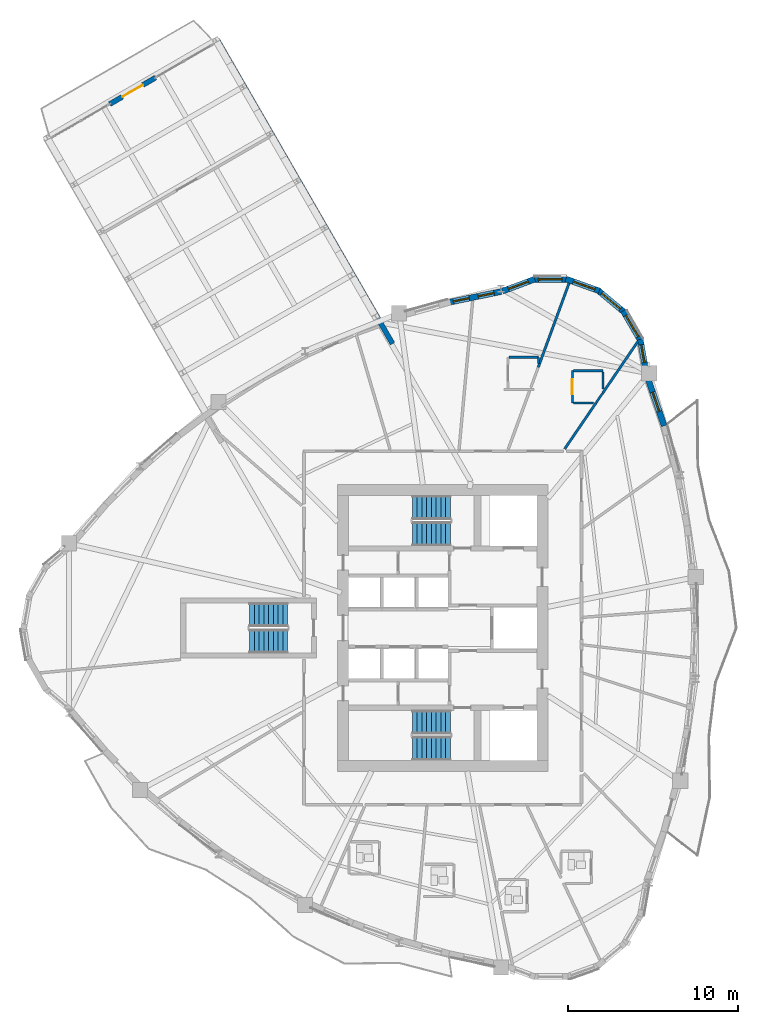
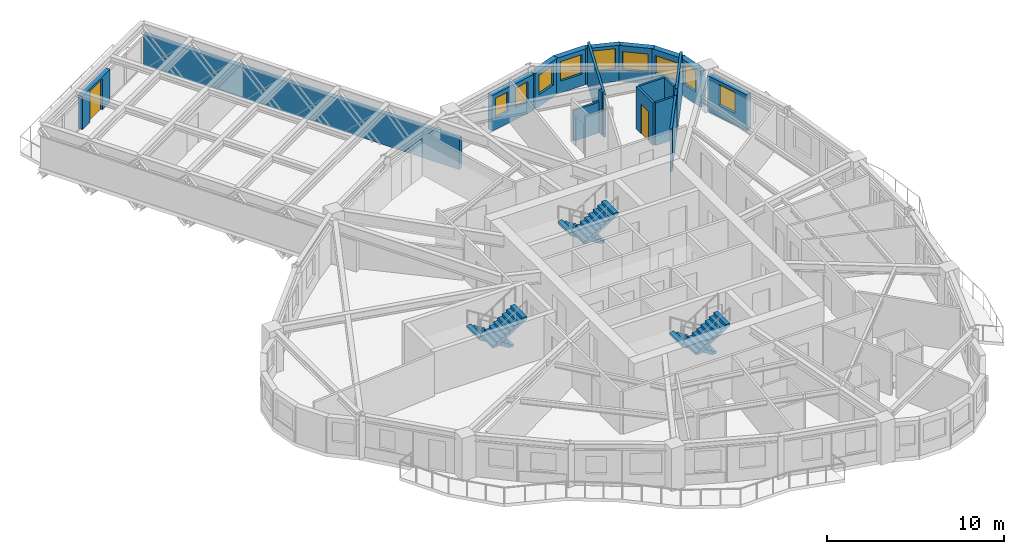
# One storey, part 10 of 14: 20 walls, 9 windows, 6 stair flights, 2 doors, 11 openings, 3 elements without a shape of their own.
"""IFC4 building model written with IfcOpenShell, lengths in metres."""

from ifc_helpers import new_model, si_unit, direction, frame, frame_2d, origin, place, context, subcontext, project, spatial, polyline, rectangle, outline, extrude, source, transform, mapped, material, layer, layer_set, type_object, element, fill, aggregate, save


model = new_model("IFC4")

# Units and contexts
model_context = context("Model", 3, precision=1e-05, world=origin(), true_north=direction((0.0, 1.0)))
body_context = subcontext(model_context, "Body", "Model", "MODEL_VIEW")
ifc_project = project(units=[si_unit("LENGTHUNIT", "METRE"), si_unit("AREAUNIT", "SQUARE_METRE"), si_unit("VOLUMEUNIT", "CUBIC_METRE"), si_unit("PLANEANGLEUNIT", "RADIAN"), si_unit("MASSUNIT", "GRAM", prefix="KILO")], contexts=[model_context])

# Site, building, storey
site_placement = place(None, origin())
site = spatial("IfcSite", under=ifc_project, at=site_placement, CompositionType="ELEMENT")
building_placement = place(site_placement, origin())
building = spatial("IfcBuilding", under=site, at=building_placement, Name="Qafzar Sky-Pleat Residences", CompositionType="ELEMENT")
storey_placement = place(building_placement, frame((0.0, 0.0, 86.39990234375)))
storey = spatial("IfcBuildingStorey", under=building, at=storey_placement, Name="L25", CompositionType="ELEMENT", Elevation=86.39990234375)

# Walls
ifc_material_1 = material(Name="Acoustic gypsum plasterboard partition", Category="gypsum")
ifc_layer_1 = layer(ifc_material_1, 0.14501953125)
ifc_layer_set_1 = layer_set([ifc_layer_1], Name="Acoustic gypsum plasterboard partition")
wall_type_1 = type_object("IfcWallType", Name="PART-UNIT-145", PredefinedType="PARTITIONING", material=ifc_layer_set_1)
wall_1_placement = place(storey_placement, frame((35.98291015625, 41.373046875, 0.0), z_axis=(0.0, 0.0, 1.0), x_axis=(0.343972978133, 0.938979547335, 0.0)))
element("IfcWall", 1, at=wall_1_placement, inside=storey, type_object=wall_type_1, Name="L25 Partition Wall PART-L25-PW-037", PredefinedType="PARTITIONING", context=body_context, shape_type="SweptSolid", body=[
    extrude(rectangle(XDim=5.272216796875, YDim=0.14501953125, at=frame_2d((2.63623046875, 0.0))), origin(), (0.0, 0.0, 1.0), 2.9501953125),
])
wall_2_placement = place(storey_placement, frame((39.781982421875, 39.846923828125, 0.0), z_axis=(0.0, 0.0, 1.0), x_axis=(0.562744405359, 0.826630954077, 0.0)))
element("IfcWall", 2, at=wall_2_placement, inside=storey, type_object=wall_type_1, Name="L25 Partition Wall PART-L25-PW-042", PredefinedType="PARTITIONING", context=body_context, shape_type="SweptSolid", body=[
    extrude(rectangle(XDim=3.658203125, YDim=0.14501953125, at=frame_2d((1.8291015625, 0.0))), origin(), (0.0, 0.0, 1.0), 2.9501953125),
])
wall_3_placement = place(storey_placement, frame((37.540771484375, 36.557373046875, 0.0), z_axis=(0.0, 0.0, 1.0), x_axis=(0.563020017907, 0.826443258449, 0.0)))
element("IfcWall", 3, at=wall_3_placement, inside=storey, type_object=wall_type_1, Name="L25 Partition Wall PART-L25-PW-044", PredefinedType="PARTITIONING", context=body_context, shape_type="SweptSolid", body=[
    extrude(rectangle(XDim=3.30029296875, YDim=0.14501953125, at=frame_2d((1.650146484375, 0.0))), origin(), (0.0, 0.0, 1.0), 2.9501953125),
])

# Wall, opening, door
ifc_material_2 = material(Name="Moisture-resistant gypsum partition", Category="gypsum")
ifc_layer_2 = layer(ifc_material_2, 0.1298828125)
ifc_layer_set_2 = layer_set([ifc_layer_2], Name="Moisture-resistant gypsum partition")
wall_type_2 = type_object("IfcWallType", Name="PART-WET-130", PredefinedType="PARTITIONING", material=ifc_layer_set_2)
wall_4_placement = place(storey_placement, frame((37.9970703125, 41.169921875, 0.0), z_axis=(0.0, 0.0, 1.0), x_axis=(0.0, -1.0, 0.0)))
wall_4 = element("IfcWall", 4, at=wall_4_placement, inside=storey, type_object=wall_type_2, Name="L25 Partition Wall PART-L25-PW-022", PredefinedType="PARTITIONING", context=body_context, shape_type="SweptSolid", body=[
    extrude(rectangle(XDim=1.89990234375, YDim=0.1298828125, at=frame_2d((0.949951171875, 0.0))), origin(), (0.0, 0.0, 1.0), 2.9501953125),
])
opening_1_placement = place(wall_4_placement, frame((0.510009765625, 0.0, 0.0)))
opening_1 = element("IfcOpeningElement", 5, at=opening_1_placement, cuts=wall_4, Name="Opening ID-07", PredefinedType="OPENING", context=body_context, shape_type="SweptSolid", body=[
    extrude(rectangle(XDim=0.8798828125, YDim=2.050048828125, at=frame_2d((0.43994140625, 1.02490234375))), frame((0.0, 0.074951171875, 0.0), z_axis=(0.0, -1.0, 0.0), x_axis=(1.0, 0.0, 0.0)), (0.0, 0.0, 1.0), 0.14990234375),
])
ifc_material_3 = material(Name="Timber-faced fire door", Category="wood")
door_type_1 = type_object("IfcDoorType", Name="DR-WET-880", OperationType="NOTDEFINED", PredefinedType="DOOR", material=ifc_material_3)
shared_shape_1 = source(origin(), body_context, "Body", "SweptSolid", [
    extrude(rectangle(XDim=0.8798828125, YDim=2.050048828125, at=frame_2d((0.43994140625, 1.02490234375))), frame((0.0, 0.02490234375, 0.0), z_axis=(0.0, -1.0, 0.0), x_axis=(1.0, 0.0, 0.0)), (0.0, 0.0, 1.0), 0.050048828125),
])
door_1_placement = place(opening_1_placement, origin())
door_1 = element("IfcDoor", 6, at=door_1_placement, inside=storey, type_object=door_type_1, Name="L25 En-suite Bathroom 5 Door", OperationType="SINGLE_SWING_RIGHT", OverallHeight=2.050048828125, OverallWidth=0.8798828125, PredefinedType="DOOR", context=body_context, shape_type="MappedRepresentation", body=[
    mapped(shared_shape_1, transform((0.0, 0.0, 0.0), x_axis=(1.0, 0.0, 0.0), y_axis=(0.0, 1.0, 0.0), z_axis=(0.0, 0.0, 1.0), scale=1.0)),
])
fill(opening_1, door_1)

# Walls
wall_5_placement = place(storey_placement, frame((38.070068359375, 41.169921875, 0.0), z_axis=(0.0, 0.0, 1.0), x_axis=(1.0, 0.0, 0.0)))
element("IfcWall", 7, at=wall_5_placement, inside=storey, type_object=wall_type_2, Name="L25 Partition Wall PART-L25-PW-056", PredefinedType="PARTITIONING", context=body_context, shape_type="SweptSolid", body=[
    extrude(rectangle(XDim=1.72705078125, YDim=0.1298828125, at=frame_2d((0.863525390625, 0.0))), origin(), (0.0, 0.0, 1.0), 2.9501953125),
])
wall_6_placement = place(storey_placement, frame((34.27099609375, 41.965087890625, 0.0), z_axis=(0.0, 0.0, 1.0), x_axis=(1.0, 0.0, 0.0)))
element("IfcWall", 8, at=wall_6_placement, inside=storey, type_object=wall_type_2, Name="L25 Partition Wall PART-L25-PW-057", PredefinedType="PARTITIONING", context=body_context, shape_type="SweptSolid", body=[
    extrude(rectangle(XDim=1.72705078125, YDim=0.1298828125, at=frame_2d((0.863525390625, 0.0))), origin(), (0.0, 0.0, 1.0), 2.1181640625),
])
wall_7_placement = place(storey_placement, frame((38.070068359375, 39.27001953125, 0.0), z_axis=(0.0, 0.0, 1.0), x_axis=(1.0, 0.0, 0.0)))
element("IfcWall", 9, at=wall_7_placement, inside=storey, type_object=wall_type_2, Name="L25 Partition Wall PART-L25-PW-062", PredefinedType="PARTITIONING", context=body_context, shape_type="SweptSolid", body=[
    extrude(rectangle(XDim=1.178955078125, YDim=0.1298828125, at=frame_2d((0.58935546875, 0.0))), origin(), (0.0, 0.0, 1.0), 2.9501953125),
])
wall_8_placement = place(storey_placement, frame((39.797119140625, 40.101318359375, 0.0), z_axis=(0.0, 0.0, 1.0), x_axis=(0.0, 1.0, 0.0)))
element("IfcWall", 10, at=wall_8_placement, inside=storey, type_object=wall_type_2, Name="L25 Partition Wall PART-L25-PW-066", PredefinedType="PARTITIONING", context=body_context, shape_type="SweptSolid", body=[
    extrude(rectangle(XDim=0.99560546875, YDim=0.1298828125, at=frame_2d((0.497802734375, 0.0))), origin(), (0.0, 0.0, 1.0), 2.9501953125),
])
wall_9_placement = place(storey_placement, frame((39.40771484375, 39.297119140625, 0.0), z_axis=(0.0, 0.0, 1.0), x_axis=(0.562042989861, 0.827108020483, 0.0)))
element("IfcWall", 11, at=wall_9_placement, inside=storey, type_object=wall_type_2, Name="L25 Partition Wall PART-L25-PW-069", PredefinedType="PARTITIONING", context=body_context, shape_type="SweptSolid", body=[
    extrude(rectangle(XDim=0.650146484375, YDim=0.1298828125, at=frame_2d((0.3251953125, 0.0))), origin(), (0.0, 0.0, 1.0), 2.9501953125),
])
wall_10_placement = place(storey_placement, frame((35.998046875, 41.593994140625, 0.0), z_axis=(0.0, 0.0, 1.0), x_axis=(0.0, 1.0, 0.0)))
element("IfcWall", 12, at=wall_10_placement, inside=storey, type_object=wall_type_2, Name="L25 Partition Wall PART-L25-PW-070", PredefinedType="PARTITIONING", context=body_context, shape_type="SweptSolid", body=[
    extrude(rectangle(XDim=0.37109375, YDim=0.1298828125, at=frame_2d((0.185546875, 0.0))), origin(), (0.0, 0.0, 1.0), 2.9501953125),
])
ifc_material_4 = material(Name="Precast concrete C40/50 with honed Riyadh limestone", Category="concrete")
ifc_layer_3 = layer(ifc_material_4, 0.300048828125)
ifc_layer_set_3 = layer_set([ifc_layer_3], Name="Precast concrete C40/50 with honed Riyadh limestone")
wall_type_3 = type_object("IfcWallType", Name="WALL-EXT-300", PredefinedType="SOLIDWALL", material=ifc_layer_set_3)
wall_11_placement = place(storey_placement, frame((27.390380859375, 42.766357421875, 0.0), z_axis=(0.0, 0.0, 1.0), x_axis=(-0.499999403898, 0.866025747944, 0.0)))
element("IfcWall", 13, at=wall_11_placement, inside=storey, type_object=wall_type_3, Name="L25 SB-2 Side Spandrel Wall R", PredefinedType="SOLIDWALL", context=body_context, shape_type="SweptSolid", body=[
    extrude(rectangle(XDim=20.60302734375, YDim=0.300048828125, at=frame_2d((10.301513671875, 0.0))), origin(), (0.0, 0.0, 1.0), 2.130126953125),
])

# Wall, opening, door
wall_12_placement = place(storey_placement, frame((10.71240234375, 56.89306640625, 0.0), z_axis=(0.0, 0.0, 1.0), x_axis=(0.866029224906, 0.499993381564, 0.0)))
wall_12 = element("IfcWall", 14, at=wall_12_placement, inside=storey, type_object=wall_type_3, Name="L25 SB-2 Prow Portal Wall", PredefinedType="SOLIDWALL", context=body_context, shape_type="SweptSolid", body=[
    extrude(rectangle(XDim=3.1201171875, YDim=0.300048828125, at=frame_2d((1.56005859375, 0.0))), origin(), (0.0, 0.0, 1.0), 2.300048828125),
])
opening_2_placement = place(wall_12_placement, frame((0.860107421875, 0.0, 0.0)))
opening_2 = element("IfcOpeningElement", 15, at=opening_2_placement, cuts=wall_12, Name="Opening ED-07", PredefinedType="OPENING", context=body_context, shape_type="SweptSolid", body=[
    extrude(rectangle(XDim=1.39990234375, YDim=2.14990234375, at=frame_2d((0.699951171875, 1.074951171875))), frame((0.0, 0.16015625, 0.0), z_axis=(0.0, -1.0, 0.0), x_axis=(1.0, 0.0, 0.0)), (0.0, 0.0, 1.0), 0.320068359375),
])
ifc_material_5 = material(Name="Glazed bronze aluminium door", Category="aluminium")
door_type_2 = type_object("IfcDoorType", Name="DR-SB-1400", OperationType="DOUBLE_DOOR_SINGLE_SWING", PredefinedType="DOOR", material=ifc_material_5)
shared_shape_2 = source(origin(), body_context, "Body", "SweptSolid", [
    extrude(rectangle(XDim=1.39990234375, YDim=2.14990234375, at=frame_2d((0.699951171875, 1.074951171875))), frame((0.0, 0.02490234375, 0.0), z_axis=(0.0, -1.0, 0.0), x_axis=(1.0, 0.0, 0.0)), (0.0, 0.0, 1.0), 0.050048828125),
])
door_2_placement = place(opening_2_placement, origin())
door_2 = element("IfcDoor", 16, at=door_2_placement, inside=storey, type_object=door_type_2, Name="L25 SB-2 Tip Balcony Glazed Door", OperationType="DOUBLE_DOOR_SINGLE_SWING", OverallHeight=2.14990234375, OverallWidth=1.39990234375, PredefinedType="DOOR", context=body_context, shape_type="MappedRepresentation", body=[
    mapped(shared_shape_2, transform((0.0, 0.0, 0.0), x_axis=(1.0, 0.0, 0.0), y_axis=(0.0, 1.0, 0.0), z_axis=(0.0, 0.0, 1.0), scale=1.0)),
])
fill(opening_2, door_2)

# Wall, opening, window
ifc_layer_4 = layer(ifc_material_4, 0.35009765625)
ifc_layer_set_4 = layer_set([ifc_layer_4], Name="Precast concrete C40/50 with honed Riyadh limestone")
wall_type_4 = type_object("IfcWallType", Name="WALL-EXT-350", PredefinedType="SOLIDWALL", material=ifc_layer_set_4)
wall_13_placement = place(storey_placement, frame((43.406494140625, 37.922607421875, 0.0), z_axis=(0.0, 0.0, 1.0), x_axis=(-0.323597196737, 0.946194934601, 0.0)))
wall_13 = element("IfcWall", 17, at=wall_13_placement, inside=storey, type_object=wall_type_4, Name="L25 Limestone Facade Wall 32", PredefinedType="SOLIDWALL", context=body_context, shape_type="SweptSolid", body=[
    extrude(rectangle(XDim=2.987548828125, YDim=0.35009765625, at=frame_2d((1.49365234375, 0.0))), origin(), (0.0, 0.0, 1.0), 2.47998046875),
])
opening_3_placement = place(wall_13_placement, frame((0.898681640625, 0.0, 0.820068359375)))
opening_3 = element("IfcOpeningElement", 18, at=opening_3_placement, cuts=wall_13, Name="Opening WN-05", PredefinedType="OPENING", context=body_context, shape_type="SweptSolid", body=[
    extrude(rectangle(XDim=1.199951171875, YDim=1.449951171875, at=frame_2d((0.60009765625, 0.72509765625))), frame((0.0, 0.18505859375, 0.0), z_axis=(0.0, -1.0, 0.0), x_axis=(1.0, 0.0, 0.0)), (0.0, 0.0, 1.0), 0.3701171875),
])
ifc_material_6 = material(Name="Solar-control low-E glass in bronze aluminium frame", Category="glass")
window_type_1 = type_object("IfcWindowType", Name="WIN-05", PartitioningType="SINGLE_PANEL", PredefinedType="WINDOW", material=ifc_material_6)
shared_shape_3 = source(origin(), body_context, "Body", "SweptSolid", [
    extrude(rectangle(XDim=1.199951171875, YDim=1.449951171875, at=frame_2d((0.60009765625, 0.72509765625))), frame((0.0, 0.030029296875, 0.0), z_axis=(0.0, -1.0, 0.0), x_axis=(1.0, 0.0, 0.0)), (0.0, 0.0, 1.0), 0.06005859375),
])
window_1_placement = place(opening_3_placement, origin())
window_1 = element("IfcWindow", 19, at=window_1_placement, inside=storey, type_object=window_type_1, Name="L25 Punched Facade Window 32", OverallHeight=1.449951171875, OverallWidth=1.199951171875, PartitioningType="SINGLE_PANEL", PredefinedType="WINDOW", context=body_context, shape_type="MappedRepresentation", body=[
    mapped(shared_shape_3, transform((0.0, 0.0, 0.0), x_axis=(1.0, 0.0, 0.0), y_axis=(0.0, 1.0, 0.0), z_axis=(0.0, 0.0, 1.0), scale=1.0)),
])
fill(opening_3, window_1)

wall_14_placement = place(storey_placement, frame((42.32080078125, 41.2099609375, 0.0), z_axis=(0.0, 0.0, 1.0), x_axis=(-0.174331490339, 0.984687022092, 0.0)))
wall_14 = element("IfcWall", 20, at=wall_14_placement, inside=storey, type_object=wall_type_4, Name="L25 Limestone Facade Wall 33", PredefinedType="SOLIDWALL", context=body_context, shape_type="SweptSolid", body=[
    extrude(rectangle(XDim=1.8359375, YDim=0.35009765625, at=frame_2d((0.91796875, 0.0))), origin(), (0.0, 0.0, 1.0), 2.47998046875),
])
opening_4_placement = place(wall_14_placement, frame((0.45849609375, 0.0, 0.820068359375)))
opening_4 = element("IfcOpeningElement", 21, at=opening_4_placement, cuts=wall_14, Name="Opening WN-06", PredefinedType="OPENING", context=body_context, shape_type="SweptSolid", body=[
    extrude(rectangle(XDim=1.050048828125, YDim=1.449951171875, at=frame_2d((0.52490234375, 0.72509765625))), frame((0.0, 0.18505859375, 0.0), z_axis=(0.0, -1.0, 0.0), x_axis=(1.0, 0.0, 0.0)), (0.0, 0.0, 1.0), 0.3701171875),
])
window_type_2 = type_object("IfcWindowType", Name="WIN-06", PartitioningType="SINGLE_PANEL", PredefinedType="WINDOW", material=ifc_material_6)
shared_shape_4 = source(origin(), body_context, "Body", "SweptSolid", [
    extrude(rectangle(XDim=1.050048828125, YDim=1.449951171875, at=frame_2d((0.52490234375, 0.72509765625))), frame((0.0, 0.030029296875, 0.0), z_axis=(0.0, -1.0, 0.0), x_axis=(1.0, 0.0, 0.0)), (0.0, 0.0, 1.0), 0.06005859375),
])
window_2_placement = place(opening_4_placement, origin())
window_2 = element("IfcWindow", 22, at=window_2_placement, inside=storey, type_object=window_type_2, Name="L25 Punched Facade Window 33", OverallHeight=1.449951171875, OverallWidth=1.050048828125, PartitioningType="SINGLE_PANEL", PredefinedType="WINDOW", context=body_context, shape_type="MappedRepresentation", body=[
    mapped(shared_shape_4, transform((0.0, 0.0, 0.0), x_axis=(1.0, 0.0, 0.0), y_axis=(0.0, 1.0, 0.0), z_axis=(0.0, 0.0, 1.0), scale=1.0)),
])
fill(opening_4, window_2)

wall_15_placement = place(storey_placement, frame((42.04736328125, 42.89013671875, 0.0), z_axis=(0.0, 0.0, 1.0), x_axis=(-0.501902596059, 0.864924149315, 0.0)))
wall_15 = element("IfcWall", 23, at=wall_15_placement, inside=storey, type_object=wall_type_4, Name="L25 Limestone Facade Wall 34", PredefinedType="SOLIDWALL", context=body_context, shape_type="SweptSolid", body=[
    extrude(rectangle(XDim=2.098876953125, YDim=0.35009765625, at=frame_2d((1.04931640625, 0.0))), origin(), (0.0, 0.0, 1.0), 2.47998046875),
])
opening_5_placement = place(wall_15_placement, frame((0.33349609375, 0.0, 0.820068359375)))
opening_5 = element("IfcOpeningElement", 24, at=opening_5_placement, cuts=wall_15, Name="Opening WN-15", PredefinedType="OPENING", context=body_context, shape_type="SweptSolid", body=[
    extrude(rectangle(XDim=1.449951171875, YDim=1.25, at=frame_2d((0.72509765625, 0.625))), frame((0.0, 0.18505859375, 0.0), z_axis=(0.0, -1.0, 0.0), x_axis=(1.0, 0.0, 0.0)), (0.0, 0.0, 1.0), 0.3701171875),
])
window_type_3 = type_object("IfcWindowType", Name="WIN-15", PartitioningType="SINGLE_PANEL", PredefinedType="WINDOW", material=ifc_material_6)
shared_shape_5 = source(origin(), body_context, "Body", "SweptSolid", [
    extrude(rectangle(XDim=1.449951171875, YDim=1.25, at=frame_2d((0.72509765625, 0.625))), frame((0.0, 0.030029296875, 0.0), z_axis=(0.0, -1.0, 0.0), x_axis=(1.0, 0.0, 0.0)), (0.0, 0.0, 1.0), 0.06005859375),
])
window_3_placement = place(opening_5_placement, origin())
window_3 = element("IfcWindow", 25, at=window_3_placement, inside=storey, type_object=window_type_3, Name="L25 Punched Facade Window 34", OverallHeight=1.25, OverallWidth=1.449951171875, PartitioningType="SINGLE_PANEL", PredefinedType="WINDOW", context=body_context, shape_type="MappedRepresentation", body=[
    mapped(shared_shape_5, transform((0.0, 0.0, 0.0), x_axis=(1.0, 0.0, 0.0), y_axis=(0.0, 1.0, 0.0), z_axis=(0.0, 0.0, 1.0), scale=1.0)),
])
fill(opening_5, window_3)

wall_16_placement = place(storey_placement, frame((41.08154296875, 44.601806640625, 0.0), z_axis=(0.0, 0.0, 1.0), x_axis=(-0.768497696041, 0.639852554249, 0.0)))
wall_16 = element("IfcWall", 26, at=wall_16_placement, inside=storey, type_object=wall_type_4, Name="L25 Limestone Facade Wall 35", PredefinedType="SOLIDWALL", context=body_context, shape_type="SweptSolid", body=[
    extrude(rectangle(XDim=2.098876953125, YDim=0.35009765625, at=frame_2d((1.04931640625, 0.0))), origin(), (0.0, 0.0, 1.0), 2.47998046875),
])
opening_6_placement = place(wall_16_placement, frame((0.324462890625, 0.0, 0.820068359375)))
opening_6 = element("IfcOpeningElement", 27, at=opening_6_placement, cuts=wall_16, Name="Opening WN-15", PredefinedType="OPENING", context=body_context, shape_type="SweptSolid", body=[
    extrude(rectangle(XDim=1.449951171875, YDim=1.25, at=frame_2d((0.72509765625, 0.625))), frame((0.0, 0.18505859375, 0.0), z_axis=(0.0, -1.0, 0.0), x_axis=(1.0, 0.0, 0.0)), (0.0, 0.0, 1.0), 0.3701171875),
])
window_4_placement = place(opening_6_placement, origin())
window_4 = element("IfcWindow", 28, at=window_4_placement, inside=storey, type_object=window_type_3, Name="L25 Punched Facade Window 35", OverallHeight=1.25, OverallWidth=1.449951171875, PartitioningType="SINGLE_PANEL", PredefinedType="WINDOW", context=body_context, shape_type="MappedRepresentation", body=[
    mapped(shared_shape_5, transform((0.0, 0.0, 0.0), x_axis=(1.0, 0.0, 0.0), y_axis=(0.0, 1.0, 0.0), z_axis=(0.0, 0.0, 1.0), scale=1.0)),
])
fill(opening_6, window_4)

wall_17_placement = place(storey_placement, frame((39.58642578125, 45.87744140625, 0.0), z_axis=(0.0, 0.0, 1.0), x_axis=(-0.941473186867, 0.33708787936, 0.0)))
wall_17 = element("IfcWall", 29, at=wall_17_placement, inside=storey, type_object=wall_type_4, Name="L25 Limestone Facade Wall 36", PredefinedType="SOLIDWALL", context=body_context, shape_type="SweptSolid", body=[
    extrude(rectangle(XDim=2.098876953125, YDim=0.35009765625, at=frame_2d((1.04931640625, 0.0))), origin(), (0.0, 0.0, 1.0), 2.47998046875),
])
opening_7_placement = place(wall_17_placement, frame((0.28271484375, 0.0, 0.820068359375)))
opening_7 = element("IfcOpeningElement", 30, at=opening_7_placement, cuts=wall_17, Name="Opening WN-04", PredefinedType="OPENING", context=body_context, shape_type="SweptSolid", body=[
    extrude(rectangle(XDim=1.35009765625, YDim=1.449951171875, at=frame_2d((0.675048828125, 0.72509765625))), frame((0.0, 0.18505859375, 0.0), z_axis=(0.0, -1.0, 0.0), x_axis=(1.0, 0.0, 0.0)), (0.0, 0.0, 1.0), 0.3701171875),
])
window_type_4 = type_object("IfcWindowType", Name="WIN-04", PartitioningType="SINGLE_PANEL", PredefinedType="WINDOW", material=ifc_material_6)
shared_shape_6 = source(origin(), body_context, "Body", "SweptSolid", [
    extrude(rectangle(XDim=1.35009765625, YDim=1.449951171875, at=frame_2d((0.675048828125, 0.72509765625))), frame((0.0, 0.030029296875, 0.0), z_axis=(0.0, -1.0, 0.0), x_axis=(1.0, 0.0, 0.0)), (0.0, 0.0, 1.0), 0.06005859375),
])
window_5_placement = place(opening_7_placement, origin())
window_5 = element("IfcWindow", 31, at=window_5_placement, inside=storey, type_object=window_type_4, Name="L25 Punched Facade Window 36", OverallHeight=1.449951171875, OverallWidth=1.35009765625, PartitioningType="SINGLE_PANEL", PredefinedType="WINDOW", context=body_context, shape_type="MappedRepresentation", body=[
    mapped(shared_shape_6, transform((0.0, 0.0, 0.0), x_axis=(1.0, 0.0, 0.0), y_axis=(0.0, 1.0, 0.0), z_axis=(0.0, 0.0, 1.0), scale=1.0)),
])
fill(opening_7, window_5)

wall_18_placement = place(storey_placement, frame((37.744384765625, 46.562255859375, 0.0), z_axis=(0.0, 0.0, 1.0), x_axis=(-0.999976451414, -0.006862697526, 0.0)))
wall_18 = element("IfcWall", 32, at=wall_18_placement, inside=storey, type_object=wall_type_4, Name="L25 Limestone Facade Wall 37", PredefinedType="SOLIDWALL", context=body_context, shape_type="SweptSolid", body=[
    extrude(rectangle(XDim=2.098876953125, YDim=0.35009765625, at=frame_2d((1.04931640625, 0.0))), origin(), (0.0, 0.0, 1.0), 2.47998046875),
])
opening_8_placement = place(wall_18_placement, frame((0.349609375, 0.0, 0.820068359375)))
opening_8 = element("IfcOpeningElement", 33, at=opening_8_placement, cuts=wall_18, Name="Opening WN-10", PredefinedType="OPENING", context=body_context, shape_type="SweptSolid", body=[
    extrude(rectangle(XDim=1.39990234375, YDim=1.35009765625, at=frame_2d((0.699951171875, 0.675048828125))), frame((0.0, 0.18505859375, 0.0), z_axis=(0.0, -1.0, 0.0), x_axis=(1.0, 0.0, 0.0)), (0.0, 0.0, 1.0), 0.3701171875),
])
window_type_5 = type_object("IfcWindowType", Name="WIN-10", PartitioningType="SINGLE_PANEL", PredefinedType="WINDOW", material=ifc_material_6)
shared_shape_7 = source(origin(), body_context, "Body", "SweptSolid", [
    extrude(rectangle(XDim=1.39990234375, YDim=1.35009765625, at=frame_2d((0.699951171875, 0.675048828125))), frame((0.0, 0.030029296875, 0.0), z_axis=(0.0, -1.0, 0.0), x_axis=(1.0, 0.0, 0.0)), (0.0, 0.0, 1.0), 0.06005859375),
])
window_6_placement = place(opening_8_placement, origin())
window_6 = element("IfcWindow", 34, at=window_6_placement, inside=storey, type_object=window_type_5, Name="L25 Punched Facade Window 37", OverallHeight=1.35009765625, OverallWidth=1.39990234375, PartitioningType="SINGLE_PANEL", PredefinedType="WINDOW", context=body_context, shape_type="MappedRepresentation", body=[
    mapped(shared_shape_7, transform((0.0, 0.0, 0.0), x_axis=(1.0, 0.0, 0.0), y_axis=(0.0, 1.0, 0.0), z_axis=(0.0, 0.0, 1.0), scale=1.0)),
])
fill(opening_8, window_6)

wall_19_placement = place(storey_placement, frame((35.779052734375, 46.572509765625, 0.0), z_axis=(0.0, 0.0, 1.0), x_axis=(-0.9368002254, -0.349864741994, 0.0)))
wall_19 = element("IfcWall", 35, at=wall_19_placement, inside=storey, type_object=wall_type_4, Name="L25 Limestone Facade Wall 38", PredefinedType="SOLIDWALL", context=body_context, shape_type="SweptSolid", body=[
    extrude(rectangle(XDim=2.041015625, YDim=0.35009765625, at=frame_2d((1.0205078125, 0.0))), origin(), (0.0, 0.0, 1.0), 2.47998046875),
])
opening_9_placement = place(wall_19_placement, frame((0.405517578125, 0.0, 0.820068359375)))
opening_9 = element("IfcOpeningElement", 36, at=opening_9_placement, cuts=wall_19, Name="Opening WN-11", PredefinedType="OPENING", context=body_context, shape_type="SweptSolid", body=[
    extrude(rectangle(XDim=1.25, YDim=1.35009765625, at=frame_2d((0.625, 0.675048828125))), frame((0.0, 0.18505859375, 0.0), z_axis=(0.0, -1.0, 0.0), x_axis=(1.0, 0.0, 0.0)), (0.0, 0.0, 1.0), 0.3701171875),
])
window_type_6 = type_object("IfcWindowType", Name="WIN-11", PartitioningType="SINGLE_PANEL", PredefinedType="WINDOW", material=ifc_material_6)
shared_shape_8 = source(origin(), body_context, "Body", "SweptSolid", [
    extrude(rectangle(XDim=1.25, YDim=1.35009765625, at=frame_2d((0.625, 0.675048828125))), frame((0.0, 0.030029296875, 0.0), z_axis=(0.0, -1.0, 0.0), x_axis=(1.0, 0.0, 0.0)), (0.0, 0.0, 1.0), 0.06005859375),
])
window_7_placement = place(opening_9_placement, origin())
window_7 = element("IfcWindow", 37, at=window_7_placement, inside=storey, type_object=window_type_6, Name="L25 Punched Facade Window 38", OverallHeight=1.35009765625, OverallWidth=1.25, PartitioningType="SINGLE_PANEL", PredefinedType="WINDOW", context=body_context, shape_type="MappedRepresentation", body=[
    mapped(shared_shape_8, transform((0.0, 0.0, 0.0), x_axis=(1.0, 0.0, 0.0), y_axis=(0.0, 1.0, 0.0), z_axis=(0.0, 0.0, 1.0), scale=1.0)),
])
fill(opening_9, window_7)

# Wall, openings, windows
wall_20_placement = place(storey_placement, frame((33.802734375, 45.840087890625, 0.0), z_axis=(0.0, 0.0, 1.0), x_axis=(-0.97943222174, -0.201773444777, 0.0)))
wall_20 = element("IfcWall", 38, at=wall_20_placement, inside=storey, type_object=wall_type_4, Name="L25 Limestone Facade Wall 39", PredefinedType="SOLIDWALL", context=body_context, shape_type="SweptSolid", body=[
    extrude(rectangle(XDim=3.1435546875, YDim=0.35009765625, at=frame_2d((1.57177734375, 0.0))), origin(), (0.0, 0.0, 1.0), 2.47998046875),
])
opening_10_placement = place(wall_20_placement, frame((0.430908203125, 0.0, 0.820068359375)))
opening_10 = element("IfcOpeningElement", 39, at=opening_10_placement, cuts=wall_20, Name="Opening WN-12", PredefinedType="OPENING", context=body_context, shape_type="SweptSolid", body=[
    extrude(rectangle(XDim=0.949951171875, YDim=1.35009765625, at=frame_2d((0.47509765625, 0.675048828125))), frame((0.0, 0.18505859375, 0.0), z_axis=(0.0, -1.0, 0.0), x_axis=(1.0, 0.0, 0.0)), (0.0, 0.0, 1.0), 0.3701171875),
])
opening_11_placement = place(wall_20_placement, frame((1.93310546875, 0.0, 0.820068359375)))
opening_11 = element("IfcOpeningElement", 40, at=opening_11_placement, cuts=wall_20, Name="Opening WN-12", PredefinedType="OPENING", context=body_context, shape_type="SweptSolid", body=[
    extrude(rectangle(XDim=0.949951171875, YDim=1.35009765625, at=frame_2d((0.47509765625, 0.675048828125))), frame((0.0, 0.18505859375, 0.0), z_axis=(0.0, -1.0, 0.0), x_axis=(1.0, 0.0, 0.0)), (0.0, 0.0, 1.0), 0.3701171875),
])
window_type_7 = type_object("IfcWindowType", Name="WIN-12", PartitioningType="SINGLE_PANEL", PredefinedType="WINDOW", material=ifc_material_6)
shared_shape_9 = source(origin(), body_context, "Body", "SweptSolid", [
    extrude(rectangle(XDim=0.949951171875, YDim=1.35009765625, at=frame_2d((0.47509765625, 0.675048828125))), frame((0.0, 0.030029296875, 0.0), z_axis=(0.0, -1.0, 0.0), x_axis=(1.0, 0.0, 0.0)), (0.0, 0.0, 1.0), 0.06005859375),
])
window_8_placement = place(opening_10_placement, origin())
window_8 = element("IfcWindow", 41, at=window_8_placement, inside=storey, type_object=window_type_7, Name="L25 Punched Facade Window 39", OverallHeight=1.35009765625, OverallWidth=0.949951171875, PartitioningType="SINGLE_PANEL", PredefinedType="WINDOW", context=body_context, shape_type="MappedRepresentation", body=[
    mapped(shared_shape_9, transform((0.0, 0.0, 0.0), x_axis=(1.0, 0.0, 0.0), y_axis=(0.0, 1.0, 0.0), z_axis=(0.0, 0.0, 1.0), scale=1.0)),
])
fill(opening_10, window_8)
window_9_placement = place(opening_11_placement, origin())
window_9 = element("IfcWindow", 42, at=window_9_placement, inside=storey, type_object=window_type_7, Name="L25 Punched Facade Window 39-2", OverallHeight=1.35009765625, OverallWidth=0.949951171875, PartitioningType="SINGLE_PANEL", PredefinedType="WINDOW", context=body_context, shape_type="MappedRepresentation", body=[
    mapped(shared_shape_9, transform((0.0, 0.0, 0.0), x_axis=(1.0, 0.0, 0.0), y_axis=(0.0, 1.0, 0.0), z_axis=(0.0, 0.0, 1.0), scale=1.0)),
])
fill(opening_11, window_9)

# Stair, stair flights
ifc_material_7 = material(Name="Concrete C40/50", Category="concrete")
stair_type = type_object("IfcStairType", Name="STAIR-H320", PredefinedType="HALF_TURN_STAIR", material=ifc_material_7)
stair_1_placement = place(storey_placement, origin())
stair_1 = element("IfcStair", 43, at=stair_1_placement, inside=storey, type_object=stair_type, Name="L25 Protected Exit Stair ST1", PredefinedType="HALF_TURN_STAIR")
stair_flight_type = type_object("IfcStairFlightType", Name="FLIGHT-H320", PredefinedType="STRAIGHT", material=ifc_material_7)
shared_shape_10 = source(origin(), body_context, "Body", "SweptSolid", [
    extrude(outline(polyline([(0.0, 0.0), (0.0, 0.177734375), (0.280029296875, 0.177734375), (0.280029296875, 0.35546875), (0.56005859375, 0.35546875), (0.56005859375, 0.533447265625), (0.840087890625, 0.533447265625), (0.840087890625, 0.711181640625), (1.1201171875, 0.711181640625), (1.1201171875, 0.888916015625), (1.39990234375, 0.888916015625), (1.39990234375, 1.066650390625), (1.679931640625, 1.066650390625), (1.679931640625, 1.244384765625), (1.9599609375, 1.244384765625), (1.9599609375, 1.422119140625), (2.239990234375, 1.422119140625), (2.239990234375, 1.60009765625), (2.239990234375, 1.24462890625), (0.27978515625, 0.0), (0.0, 0.0)])), frame((0.0, 0.699951171875, 0.0), z_axis=(0.0, -1.0, 0.0), x_axis=(1.0, 0.0, 0.0)), (0.0, 0.0, 1.0), 1.39990234375),
])
stair_flight_1_placement = place(storey_placement, frame((30.800048828125, 20.449951171875, 0.0), z_axis=(0.0, 0.0, 1.0), x_axis=(-1.0, 0.0, 0.0)))
stair_flight_1 = element("IfcStairFlight", 44, at=stair_flight_1_placement, type_object=stair_flight_type, Name="ST1 flight 1", NumberOfRisers=9, NumberOfTreads=8, PredefinedType="STRAIGHT", RiserHeight=0.177777778, TreadLength=0.28, context=body_context, shape_type="MappedRepresentation", body=[
    mapped(shared_shape_10, transform((0.0, 0.0, 0.0), x_axis=(1.0, 0.0, 0.0), y_axis=(0.0, 1.0, 0.0), z_axis=(0.0, 0.0, 1.0), scale=1.0)),
])
stair_flight_2_placement = place(storey_placement, frame((28.56005859375, 18.89990234375, 1.60009765625), z_axis=(0.0, 0.0, 1.0), x_axis=(1.0, 0.0, 0.0)))
stair_flight_2 = element("IfcStairFlight", 45, at=stair_flight_2_placement, type_object=stair_flight_type, Name="ST1 flight 2", NumberOfRisers=9, NumberOfTreads=8, PredefinedType="STRAIGHT", RiserHeight=0.177777778, TreadLength=0.28, context=body_context, shape_type="MappedRepresentation", body=[
    mapped(shared_shape_10, transform((0.0, 0.0, 0.0), x_axis=(1.0, 0.0, 0.0), y_axis=(0.0, 1.0, 0.0), z_axis=(0.0, 0.0, 1.0), scale=1.0)),
])
aggregate(stair_1, [stair_flight_1, stair_flight_2])

stair_2_placement = place(storey_placement, origin())
stair_2 = element("IfcStair", 46, at=stair_2_placement, inside=storey, type_object=stair_type, Name="L25 Protected Exit Stair ST2", PredefinedType="HALF_TURN_STAIR")
stair_flight_3_placement = place(storey_placement, frame((30.800048828125, 33.10009765625, 0.0), z_axis=(0.0, 0.0, 1.0), x_axis=(-1.0, 0.0, 0.0)))
stair_flight_3 = element("IfcStairFlight", 47, at=stair_flight_3_placement, type_object=stair_flight_type, Name="ST2 flight 1", NumberOfRisers=9, NumberOfTreads=8, PredefinedType="STRAIGHT", RiserHeight=0.177777778, TreadLength=0.28, context=body_context, shape_type="MappedRepresentation", body=[
    mapped(shared_shape_10, transform((0.0, 0.0, 0.0), x_axis=(1.0, 0.0, 0.0), y_axis=(0.0, 1.0, 0.0), z_axis=(0.0, 0.0, 1.0), scale=1.0)),
])
stair_flight_4_placement = place(storey_placement, frame((28.56005859375, 31.550048828125, 1.60009765625), z_axis=(0.0, 0.0, 1.0), x_axis=(1.0, 0.0, 0.0)))
stair_flight_4 = element("IfcStairFlight", 48, at=stair_flight_4_placement, type_object=stair_flight_type, Name="ST2 flight 2", NumberOfRisers=9, NumberOfTreads=8, PredefinedType="STRAIGHT", RiserHeight=0.177777778, TreadLength=0.28, context=body_context, shape_type="MappedRepresentation", body=[
    mapped(shared_shape_10, transform((0.0, 0.0, 0.0), x_axis=(1.0, 0.0, 0.0), y_axis=(0.0, 1.0, 0.0), z_axis=(0.0, 0.0, 1.0), scale=1.0)),
])
aggregate(stair_2, [stair_flight_3, stair_flight_4])

stair_3_placement = place(storey_placement, origin())
stair_3 = element("IfcStair", 49, at=stair_3_placement, inside=storey, type_object=stair_type, Name="L25 Protected Exit Stair ST3", PredefinedType="HALF_TURN_STAIR")
stair_flight_5_placement = place(storey_placement, frame((21.199951171875, 26.77490234375, 0.0), z_axis=(0.0, 0.0, 1.0), x_axis=(-1.0, 0.0, 0.0)))
stair_flight_5 = element("IfcStairFlight", 50, at=stair_flight_5_placement, type_object=stair_flight_type, Name="ST3 flight 1", NumberOfRisers=9, NumberOfTreads=8, PredefinedType="STRAIGHT", RiserHeight=0.177777778, TreadLength=0.28, context=body_context, shape_type="MappedRepresentation", body=[
    mapped(shared_shape_10, transform((0.0, 0.0, 0.0), x_axis=(1.0, 0.0, 0.0), y_axis=(0.0, 1.0, 0.0), z_axis=(0.0, 0.0, 1.0), scale=1.0)),
])
stair_flight_6_placement = place(storey_placement, frame((18.9599609375, 25.22509765625, 1.60009765625), z_axis=(0.0, 0.0, 1.0), x_axis=(1.0, 0.0, 0.0)))
stair_flight_6 = element("IfcStairFlight", 51, at=stair_flight_6_placement, type_object=stair_flight_type, Name="ST3 flight 2", NumberOfRisers=9, NumberOfTreads=8, PredefinedType="STRAIGHT", RiserHeight=0.177777778, TreadLength=0.28, context=body_context, shape_type="MappedRepresentation", body=[
    mapped(shared_shape_10, transform((0.0, 0.0, 0.0), x_axis=(1.0, 0.0, 0.0), y_axis=(0.0, 1.0, 0.0), z_axis=(0.0, 0.0, 1.0), scale=1.0)),
])
aggregate(stair_3, [stair_flight_5, stair_flight_6])

save(model, "model.ifc")
